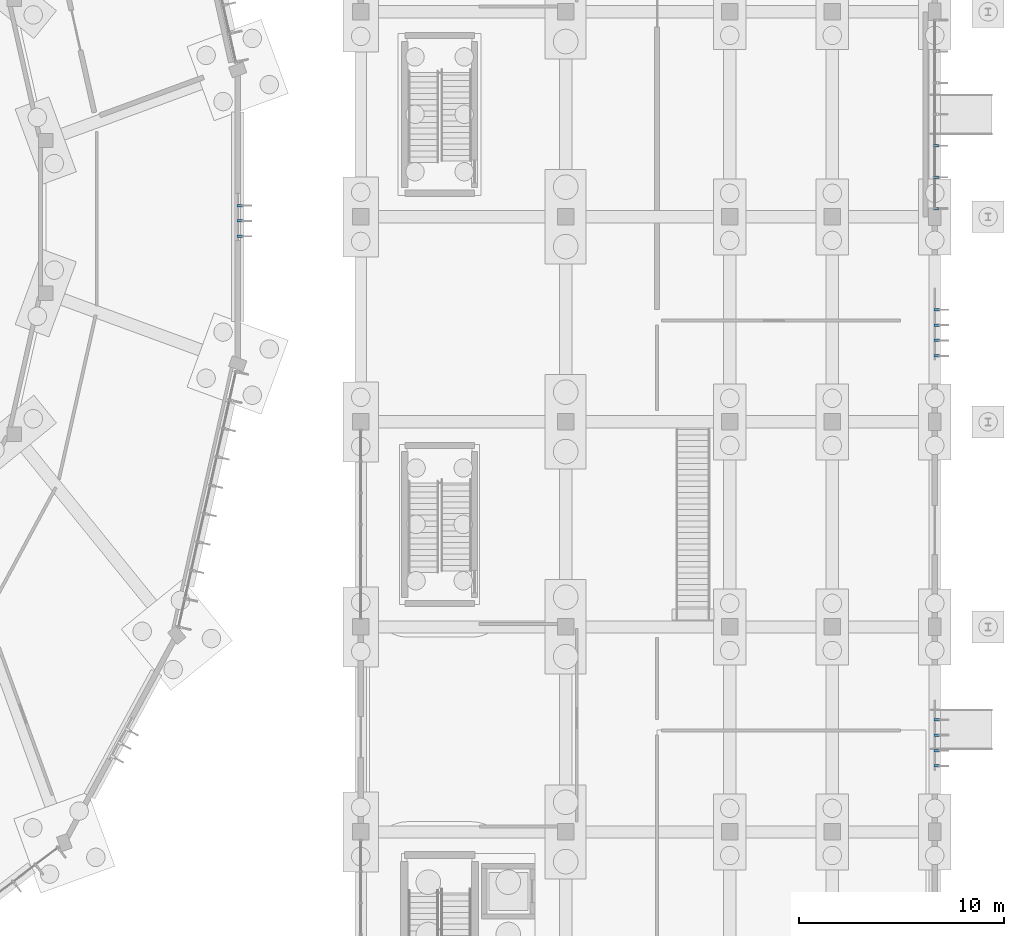
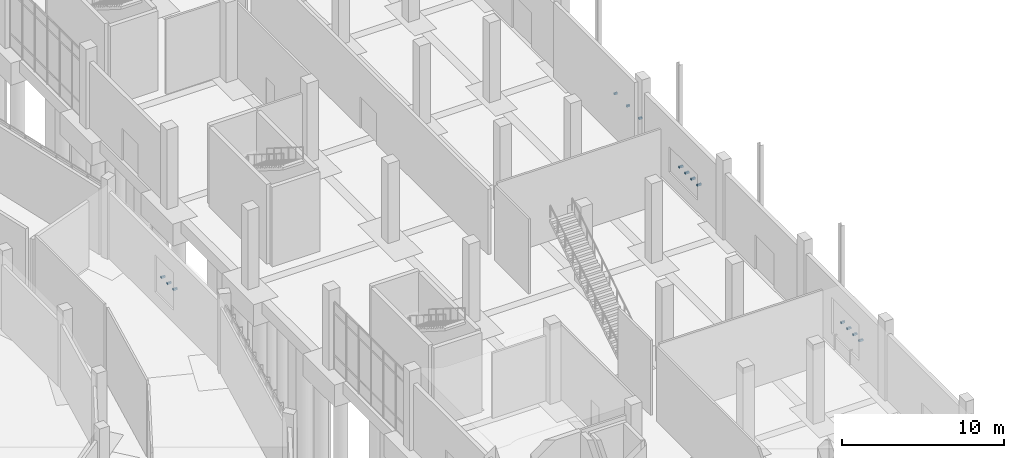
# One storey, part 105 of 140: 14 discrete accessories.
"""IFC4 building model written with IfcOpenShell, lengths in metres."""

from ifc_helpers import new_model, si_unit, direction, frame, origin, origin_2d, place, context, subcontext, project, spatial, rectangle, extrude, material, type_object, element, save


model = new_model("IFC4")

# Units and contexts
model_context = context("Model", 3, precision=1e-05, world=origin(), true_north=direction((0.0, 1.0)))
body_context = subcontext(model_context, "Body", "Model", "MODEL_VIEW")
ifc_project = project(units=[si_unit("LENGTHUNIT", "METRE"), si_unit("AREAUNIT", "SQUARE_METRE"), si_unit("VOLUMEUNIT", "CUBIC_METRE"), si_unit("PLANEANGLEUNIT", "RADIAN"), si_unit("MASSUNIT", "GRAM", prefix="KILO")], contexts=[model_context])

# Site, building, storey
site_placement = place(None, origin())
site = spatial("IfcSite", under=ifc_project, at=site_placement, CompositionType="ELEMENT")
building_placement = place(site_placement, origin())
building = spatial("IfcBuilding", under=site, at=building_placement, Name="Corvandel Quay Wholesale Market", CompositionType="ELEMENT")
storey_placement = place(building_placement, origin())
storey = spatial("IfcBuildingStorey", under=building, at=storey_placement, Name="L00", CompositionType="ELEMENT", Elevation=0.0)

# Discrete accessories
ifc_material = material(Name="Austenitic stainless steel Grade 316", Category="steel")
discrete_accessory_type = type_object("IfcDiscreteAccessoryType", Name="Stainless Solar Fin Fixing Bracket BRK01", PredefinedType="USERDEFINED", material=ifc_material)
for number, where, z_axis, x_axis, name in (
    (1, (214.10009765625, 59.050048828125, 2.2802734375), (0.0, 0.0, 1.0), (1.0, 0.0, 0.0), "Fin Bracket 0678"),
    (2, (214.10009765625, 59.800048828125, 2.2802734375), (0.0, 0.0, 1.0), (1.0, 0.0, 0.0), "Fin Bracket 0679"),
    (3, (214.10009765625, 60.550048828125, 2.2802734375), (0.0, 0.0, 1.0), (1.0, 0.0, 0.0), "Fin Bracket 0680"),
    (4, (248.10009765625, 33.219970703125, 2.18017578125), (0.0, 0.0, 1.0), (1.0, 0.0, 0.0), "Fin Bracket 0759"),
    (5, (248.10009765625, 33.969970703125, 2.18017578125), (0.0, 0.0, 1.0), (1.0, 0.0, 0.0), "Fin Bracket 0760"),
    (6, (248.10009765625, 34.719970703125, 2.18017578125), (0.0, 0.0, 1.0), (1.0, 0.0, 0.0), "Fin Bracket 0761"),
    (7, (248.10009765625, 35.469970703125, 2.18017578125), (0.0, 0.0, 1.0), (1.0, 0.0, 0.0), "Fin Bracket 0762"),
    (8, (248.10009765625, 53.219970703125, 1.7802734375), (0.0, 0.0, 1.0), (1.0, 0.0, 0.0), "Fin Bracket 0763"),
    (9, (248.10009765625, 53.969970703125, 1.7802734375), (0.0, 0.0, 1.0), (1.0, 0.0, 0.0), "Fin Bracket 0764"),
    (10, (248.10009765625, 54.719970703125, 1.7802734375), (0.0, 0.0, 1.0), (1.0, 0.0, 0.0), "Fin Bracket 0765"),
    (11, (248.10009765625, 55.469970703125, 1.7802734375), (0.0, 0.0, 1.0), (1.0, 0.0, 0.0), "Fin Bracket 0766"),
):
    element("IfcDiscreteAccessory", number, at=place(storey_placement, frame(where, z_axis=z_axis, x_axis=x_axis)), inside=storey, type_object=discrete_accessory_type, Name=name, ObjectType="BRACKET", PredefinedType="USERDEFINED", context=body_context, shape_type="SweptSolid", body=[
        extrude(rectangle(XDim=0.280029296875, YDim=0.1201171875, at=origin_2d()), origin(), (0.0, 0.0, 1.0), 0.139892578125),
    ])
for number, where, z_axis, x_axis, name in (
    (12, (248.06005859375, 60.39990234375, 2.455078125), (0.0, 0.0, 1.0), (1.0, 0.0, 0.0), "Fin Bracket 0767"),
    (13, (248.06005859375, 61.933349609375, 2.455078125), (0.0, 0.0, 1.0), (1.0, 0.0, 0.0), "Fin Bracket 0768"),
    (14, (248.06005859375, 63.466796875, 2.455078125), (0.0, 0.0, 1.0), (1.0, 0.0, 0.0), "Fin Bracket 0769"),
):
    element("IfcDiscreteAccessory", number, at=place(storey_placement, frame(where, z_axis=z_axis, x_axis=x_axis)), inside=storey, type_object=discrete_accessory_type, Name=name, ObjectType="BRACKET", PredefinedType="USERDEFINED", context=body_context, shape_type="SweptSolid", body=[
        extrude(rectangle(XDim=0.239990234375, YDim=0.1201171875, at=origin_2d()), origin(), (0.0, 0.0, 1.0), 0.139892578125),
    ])

save(model, "model.ifc")
